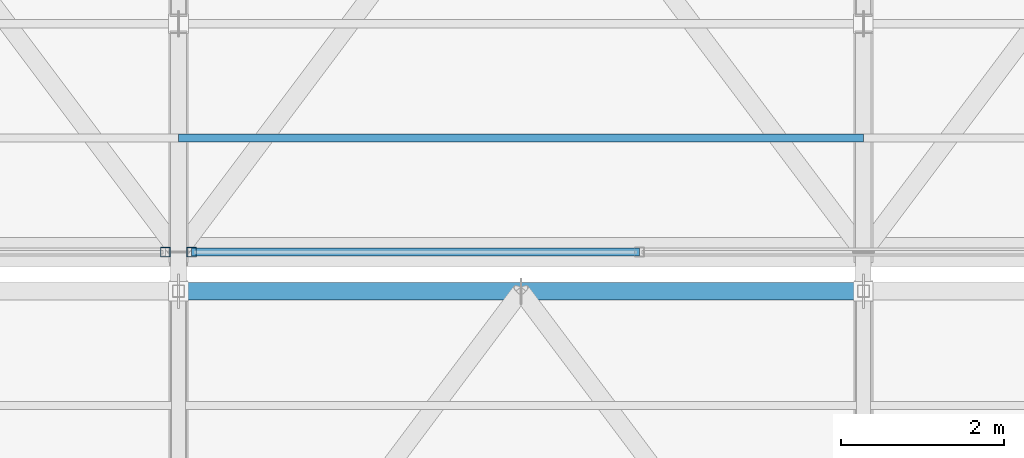
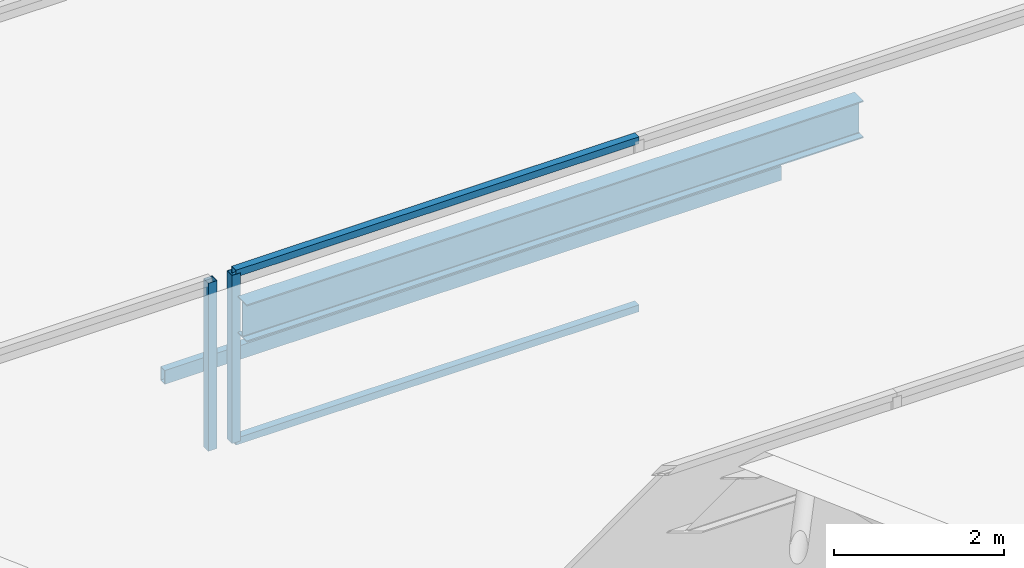
# One storey, part 103 of 217: 6 members, 2 elements without a shape of their own.
"""IFC4 building model written with IfcOpenShell, lengths in metres."""

from ifc_helpers import new_model, si_unit, direction, frame, origin, origin_2d, place, context, subcontext, project, spatial, hollow_rectangle, i_section, extrude, material, material_profile, profile_set, type_object, element, aggregate, save


model = new_model("IFC4")

# Units and contexts
model_context = context("Model", 3, precision=1e-05, world=origin(), true_north=direction((0.0, 1.0)))
body_context = subcontext(model_context, "Body", "Model", "MODEL_VIEW")
ifc_project = project(units=[si_unit("LENGTHUNIT", "METRE"), si_unit("AREAUNIT", "SQUARE_METRE"), si_unit("VOLUMEUNIT", "CUBIC_METRE"), si_unit("PLANEANGLEUNIT", "RADIAN"), si_unit("MASSUNIT", "GRAM", prefix="KILO")], contexts=[model_context])

# Site, building, storey
site_placement = place(None, origin())
site = spatial("IfcSite", under=ifc_project, at=site_placement, CompositionType="ELEMENT")
building_placement = place(site_placement, origin())
building = spatial("IfcBuilding", under=site, at=building_placement, Name="Zuvorla Pavilion Media Centre", CompositionType="ELEMENT")
storey_placement = place(building_placement, frame((0.0, 0.0, 9.60009765625)))
storey = spatial("IfcBuildingStorey", under=building, at=storey_placement, Name="L02", CompositionType="ELEMENT", Elevation=9.60009765625)

# Curtain wall, member
ifc_material_1 = material(Name="Unitised anodised aluminium and solar glass curtain wall", Category="aluminium")
curtain_wall_type = type_object("IfcCurtainWallType", Name="CW-SYS-88", PredefinedType="USERDEFINED", material=ifc_material_1)
curtain_wall_1_placement = place(storey_placement, origin())
curtain_wall_1 = element("IfcCurtainWall", 1, at=curtain_wall_1_placement, inside=storey, type_object=curtain_wall_type, Name="L02 curtain wall CW88 208", ObjectType="CURTAIN WALL", PredefinedType="USERDEFINED")
ifc_material_2 = material(Name="Anodised aluminium 6063-T6", Category="aluminium")
ifc_material_profile_1 = material_profile(ifc_material_2, hollow_rectangle(XDim=0.1201171875, YDim=0.1201171875, WallThickness=0.0048828125, at=origin_2d()), Name="ALU MULL 120x120")
ifc_profile_set_1 = profile_set([ifc_material_profile_1], Name="Anodised aluminium 6063-T6")
member_type_1 = type_object("IfcMemberType", Name="CW-MULL-120", PredefinedType="MULLION", material=ifc_profile_set_1)
member_1_placement = place(storey_placement, frame((83.43994140625, 107.840087890625, 0.0), z_axis=(0.0, 0.0, 1.0), x_axis=(1.0, 0.0, 0.0)))
member_1 = element("IfcMember", 2, at=member_1_placement, type_object=member_type_1, Name="CW88 mullion 4", PredefinedType="MULLION", context=body_context, shape_type="SweptSolid", body=[
    extrude(hollow_rectangle(XDim=0.1201171875, YDim=0.1201171875, WallThickness=0.0048828125, at=origin_2d()), origin(), (0.0, 0.0, 1.0), 2.419921875),
])
aggregate(curtain_wall_1, [member_1])

# Curtain wall, members
curtain_wall_2_placement = place(storey_placement, origin())
curtain_wall_2 = element("IfcCurtainWall", 3, at=curtain_wall_2_placement, inside=storey, type_object=curtain_wall_type, Name="L02 curtain wall CW88 209", ObjectType="CURTAIN WALL", PredefinedType="USERDEFINED")
member_2_placement = place(storey_placement, frame((83.760009765625, 107.840087890625, 0.0), z_axis=(0.0, 0.0, 1.0), x_axis=(1.0, 0.0, 0.0)))
member_2 = element("IfcMember", 4, at=member_2_placement, type_object=member_type_1, Name="CW88 mullion 1", PredefinedType="MULLION", context=body_context, shape_type="SweptSolid", body=[
    extrude(hollow_rectangle(XDim=0.1201171875, YDim=0.1201171875, WallThickness=0.0048828125, at=origin_2d()), origin(), (0.0, 0.0, 1.0), 2.419921875),
])
ifc_material_profile_2 = material_profile(ifc_material_2, hollow_rectangle(XDim=0.10009765625, YDim=0.10009765625, WallThickness=0.00439453125, at=origin_2d()), Name="ALU TRAN 100x100")
ifc_profile_set_2 = profile_set([ifc_material_profile_2], Name="Anodised aluminium 6063-T6")
member_type_2 = type_object("IfcMemberType", Name="CW-TRAN-100", PredefinedType="USERDEFINED", material=ifc_profile_set_2)
member_3_placement = place(storey_placement, frame((83.760009765625, 107.840087890625, 0.0), z_axis=(1.0, 0.0, 0.0), x_axis=(0.0, 1.0, 0.0)))
member_3 = element("IfcMember", 5, at=member_3_placement, type_object=member_type_2, Name="CW88 transom 1.1", ObjectType="TRANSOM", PredefinedType="USERDEFINED", context=body_context, shape_type="SweptSolid", body=[
    extrude(hollow_rectangle(XDim=0.10009765625, YDim=0.10009765625, WallThickness=0.00439453125, at=origin_2d()), origin(), (0.0, 0.0, 1.0), 5.493408203125),
])
member_4_placement = place(storey_placement, frame((83.760009765625, 107.840087890625, 2.419921875), z_axis=(1.0, 0.0, 0.0), x_axis=(0.0, 1.0, 0.0)))
member_4 = element("IfcMember", 6, at=member_4_placement, type_object=member_type_2, Name="CW88 transom 1.2", ObjectType="TRANSOM", PredefinedType="USERDEFINED", context=body_context, shape_type="SweptSolid", body=[
    extrude(hollow_rectangle(XDim=0.10009765625, YDim=0.10009765625, WallThickness=0.00439453125, at=origin_2d()), origin(), (0.0, 0.0, 1.0), 5.493408203125),
])
aggregate(curtain_wall_2, [member_2, member_3, member_4])

# Members
ifc_material_3 = material(Name="Steel S355", Category="steel")
ifc_material_profile_3 = material_profile(ifc_material_3, i_section(OverallWidth=0.2099609375, OverallDepth=0.53662109375, WebThickness=0.0107421875, FlangeThickness=0.017333984375, FilletRadius=0.0126953125, at=origin_2d()), Name="UB 533x210x101")
ifc_profile_set_3 = profile_set([ifc_material_profile_3], Name="Steel S355")
member_type_3 = type_object("IfcMemberType", Name="MEM-CHD-UB533", PredefinedType="CHORD", material=ifc_profile_set_3)
member_5_placement = place(storey_placement, frame((83.60009765625, 107.360107421875, 2.08349609375), z_axis=(1.0, 0.0, 0.0), x_axis=(0.0, 1.0, 0.0)))
element("IfcMember", 7, at=member_5_placement, inside=storey, type_object=member_type_3, Name="L02 chord TC02 276", PredefinedType="CHORD", context=body_context, shape_type="SweptSolid", body=[
    extrude(i_section(OverallWidth=0.2099609375, OverallDepth=0.53662109375, WebThickness=0.0107421875, FlangeThickness=0.017333984375, FilletRadius=0.0126953125, at=origin_2d()), origin(), (0.0, 0.0, 1.0), 8.39990234375),
])
ifc_material_profile_4 = material_profile(ifc_material_3, hollow_rectangle(XDim=0.10009765625, YDim=0.199951171875, WallThickness=0.008056640625, at=origin_2d()), Name="RHS 200x100x8")
ifc_profile_set_4 = profile_set([ifc_material_profile_4], Name="Steel S355")
member_type_4 = type_object("IfcMemberType", Name="MEM-PUR-RHS200", PredefinedType="PURLIN", material=ifc_profile_set_4)
member_6_placement = place(storey_placement, frame((83.60009765625, 109.239990234375, 0.133544921875), z_axis=(1.0, 0.0, 0.0), x_axis=(0.0, 1.0, 0.0)))
element("IfcMember", 8, at=member_6_placement, inside=storey, type_object=member_type_4, Name="L02 purlin PR01 372", PredefinedType="PURLIN", context=body_context, shape_type="SweptSolid", body=[
    extrude(hollow_rectangle(XDim=0.10009765625, YDim=0.199951171875, WallThickness=0.008056640625, at=origin_2d()), origin(), (0.0, 0.0, 1.0), 8.39990234375),
])

save(model, "model.ifc")
